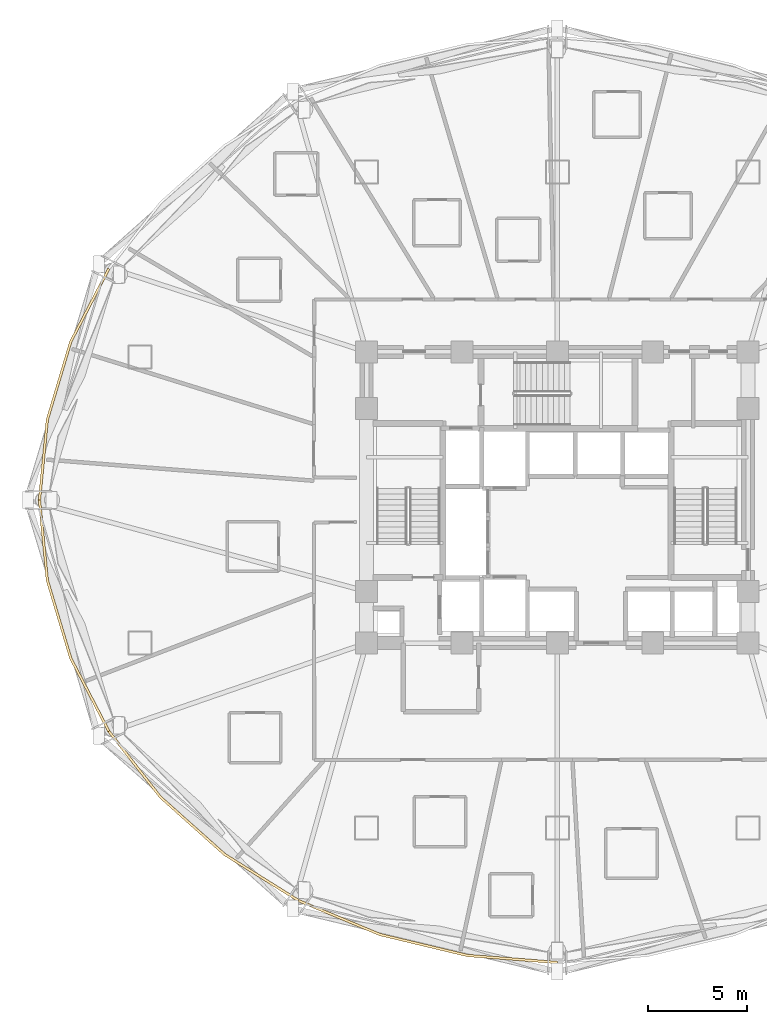
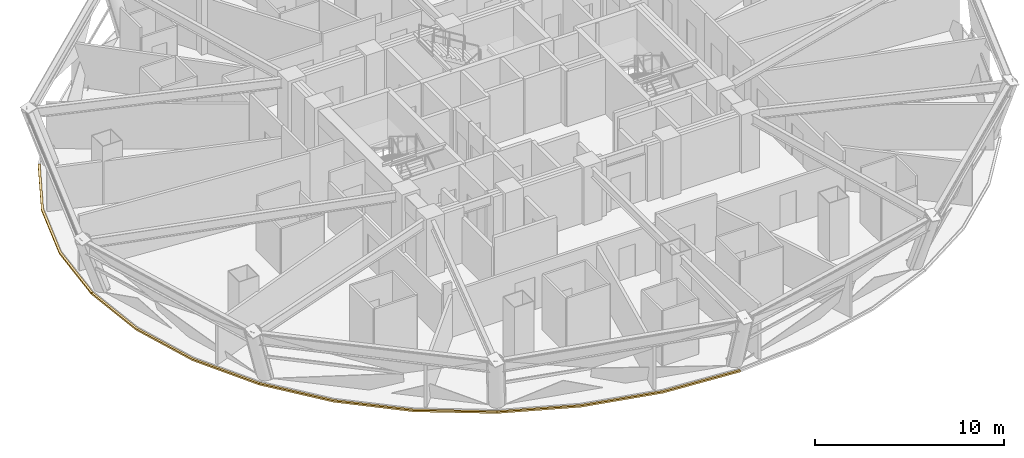
# One storey, part 9 of 12: 4 coverings.
"""IFC4 building model written with IfcOpenShell, lengths in metres."""

import ifcopenshell
import ifcopenshell.guid

model = None  # the IFC model being written
_history = None  # IfcOwnerHistory: only IFC2X3 demands one
_inside = {}  # id of a spatial element -> (the spatial element, [elements in it])
_under = {}  # id of a project, library or spatial element -> (it, [spatial elements below it])
_declared = {}  # id of a project -> (the project, [libraries it declares])
_typed = {}  # id of a type object -> (the type object, [elements of that type])
_made_of = {}  # id of a material, layer set ... -> (it, [elements and type objects made of it])


def new_model(schema):
    """Start an empty IFC model of exactly this schema.

    Asked for "IFC4X3", IfcOpenShell would pick the latest addendum, in which some entities
    have other attributes; the version numbers below select the first issue.
    IFC2X3 requires an IfcOwnerHistory on every rooted entity: one is made here for all.
    """
    global model, _history
    if schema == "IFC4X3":
        model = ifcopenshell.file(schema_version=(4, 3, 0, 0))
    else:
        model = ifcopenshell.file(schema=schema)
    _inside.clear()
    _under.clear()
    _declared.clear()
    _typed.clear()
    _made_of.clear()
    _history = None
    if model.schema == "IFC2X3":
        org = make("IfcOrganization", Name="unknown")
        user = make(
            "IfcPersonAndOrganization",
            ThePerson=make("IfcPerson", FamilyName="unknown"),
            TheOrganization=org,
        )
        app = make(
            "IfcApplication",
            ApplicationDeveloper=org,
            Version="unknown",
            ApplicationFullName="unknown",
            ApplicationIdentifier="unknown",
        )
        _history = make(
            "IfcOwnerHistory",
            OwningUser=user,
            OwningApplication=app,
            ChangeAction="ADDED",
            CreationDate=0,
        )
    return model


def make(cls, **values):
    """One entity of the class cls with the attributes given. An attribute that is None is left unset."""
    return model.create_entity(
        cls, **{name: value for name, value in values.items() if value is not None}
    )


def rooted(cls, **values):
    """An entity with a GlobalId (a new one), such as an element, a storey or a relation."""
    return make(cls, GlobalId=ifcopenshell.guid.new(), OwnerHistory=_history, **values)


def si_unit(unit_type, name, prefix=None):
    """IfcSIUnit, for example si_unit("LENGTHUNIT", "METRE", prefix="MILLI")."""
    return make("IfcSIUnit", UnitType=unit_type, Prefix=prefix, Name=name)


def assignment(units):
    """IfcUnitAssignment: the units of a project."""
    return None if units is None else make("IfcUnitAssignment", Units=units)


def point(xyz):
    """IfcCartesianPoint."""
    return None if xyz is None else make("IfcCartesianPoint", Coordinates=xyz)


def direction(xyz):
    """IfcDirection."""
    return None if xyz is None else make("IfcDirection", DirectionRatios=xyz)


def frame(location, z_axis=None, x_axis=None):
    """IfcAxis2Placement3D, a coordinate frame: its origin and axes. An axis left out is left unset."""
    return make(
        "IfcAxis2Placement3D",
        Location=point(location),
        Axis=direction(z_axis),
        RefDirection=direction(x_axis),
    )


def origin():
    """The frame at (0, 0, 0) with its axes left unset."""
    return frame((0.0, 0.0, 0.0))


def place(relative_to, where):
    """IfcLocalPlacement: puts the frame where relative to a parent placement (None: the world)."""
    return make(
        "IfcLocalPlacement", PlacementRelTo=relative_to, RelativePlacement=where
    )


def context(
    kind, dimensions, precision=None, world=None, true_north=None, identifier=None
):
    """IfcGeometricRepresentationContext, for example the 3D "Model" context."""
    return make(
        "IfcGeometricRepresentationContext",
        ContextIdentifier=identifier,
        ContextType=kind,
        CoordinateSpaceDimension=dimensions,
        Precision=precision,
        WorldCoordinateSystem=world,
        TrueNorth=true_north,
    )


def subcontext(parent, identifier, kind, view, scale=None):
    """IfcGeometricRepresentationSubContext, for example "Body" below "Model"."""
    return make(
        "IfcGeometricRepresentationSubContext",
        ContextIdentifier=identifier,
        ContextType=kind,
        ParentContext=parent,
        TargetScale=scale,
        TargetView=view,
    )


def project(units=None, contexts=None):
    """IfcProject with its units and contexts."""
    return rooted(
        "IfcProject",
        Name="project",
        RepresentationContexts=contexts,
        UnitsInContext=assignment(units),
    )


def spatial(cls, under=None, at=None, **own):
    """A site, building, storey or space (cls), placed at a placement, below another one or the project."""
    s = rooted(cls, ObjectPlacement=at, **own)
    if under is not None:
        _under.setdefault(under.id(), (under, []))[1].append(s)
    return s


def polyline(points):
    """IfcPolyline through the points."""
    return make("IfcPolyline", Points=[point(p) for p in points])


def outline(outer, holes=None, kind="AREA"):
    """IfcArbitraryClosedProfileDef: a profile drawn as a closed curve; with holes, ...WithVoids."""
    if holes is None:
        return make("IfcArbitraryClosedProfileDef", ProfileType=kind, OuterCurve=outer)
    return make(
        "IfcArbitraryProfileDefWithVoids",
        ProfileType=kind,
        OuterCurve=outer,
        InnerCurves=holes,
    )


def extrude(swept, where, along, depth):
    """IfcExtrudedAreaSolid: the profile swept, set in the frame where, extruded along a direction by depth."""
    return make(
        "IfcExtrudedAreaSolid",
        SweptArea=swept,
        Position=where,
        ExtrudedDirection=direction(along),
        Depth=depth,
    )


def shape(context_of_items, identifier, shape_type, items):
    """IfcShapeRepresentation: the items that make up one representation, for example the "Body"."""
    return make(
        "IfcShapeRepresentation",
        ContextOfItems=context_of_items,
        RepresentationIdentifier=identifier,
        RepresentationType=shape_type,
        Items=items,
    )


def material(Name=None, Category=None):
    """IfcMaterial."""
    return make("IfcMaterial", Name=Name, Category=Category)


def layer(
    of_material, thickness, ventilated=None, Name=None, Category=None, Priority=None
):
    """IfcMaterialLayer: one layer of a wall or slab, of a material (None: an air gap)."""
    return make(
        "IfcMaterialLayer",
        Material=of_material,
        LayerThickness=thickness,
        IsVentilated=ventilated,
        Name=Name,
        Category=Category,
        Priority=Priority,
    )


def layer_set(layers, Name=None):
    """IfcMaterialLayerSet."""
    return make("IfcMaterialLayerSet", MaterialLayers=layers, LayerSetName=Name)


def made_of(thing, what):
    """Note that an element or type object is made of a material, layer set ...; save() writes the relation."""
    if what is not None:
        _made_of.setdefault(what.id(), (what, []))[1].append(thing)
    return thing


def type_object(cls, material=None, **own):
    """A type object (cls), such as IfcWallType, which elements share."""
    return made_of(rooted(cls, **own), material)


def element(
    cls,
    number,
    at=None,
    inside=None,
    cuts=None,
    type_object=None,
    material=None,
    context=None,
    identifier="Body",
    shape_type=None,
    held_by="IfcProductDefinitionShape",
    body=None,
    shapes=None,
    **own,
):
    """One element of the class cls, such as IfcWall. Its Tag is "e" and its number.

    at: its placement. inside: the storey or other place that contains it. cuts: it is an
    opening in that element (IfcRelVoidsElement). A single representation is given by context,
    identifier, shape_type and body (its items); several are given by shapes. held_by: the class
    of the entity that holds the representations. save() writes the other relations.
    """
    e = rooted(cls, Tag="e%d" % number, ObjectPlacement=at, **own)
    if body is not None:
        shapes = [shape(context, identifier, shape_type, body)]
    if shapes is not None:
        e.Representation = make(held_by, Representations=shapes)
    if inside is not None:
        _inside.setdefault(inside.id(), (inside, []))[1].append(e)
    if cuts is not None:
        rooted(
            "IfcRelVoidsElement", RelatingBuildingElement=cuts, RelatedOpeningElement=e
        )
    if type_object is not None:
        _typed.setdefault(type_object.id(), (type_object, []))[1].append(e)
    return made_of(e, material)


def aggregate(whole, parts):
    """IfcRelAggregates: a whole, such as a stair, and the parts it consists of."""
    return rooted("IfcRelAggregates", RelatingObject=whole, RelatedObjects=parts)


def save(model, path):
    """Write the relations noted so far, then the file.

    IfcRelAggregates (storeys below a building ...), IfcRelContainedInSpatialStructure (elements
    in a storey), IfcRelDefinesByType, IfcRelAssociatesMaterial and IfcRelDeclares: one each for
    every whole, place, type object, material and project.
    """
    for whole, parts in _under.values():
        aggregate(whole, parts)
    for where, things in _inside.values():
        rooted(
            "IfcRelContainedInSpatialStructure",
            RelatedElements=things,
            RelatingStructure=where,
        )
    for kind, things in _typed.values():
        rooted("IfcRelDefinesByType", RelatedObjects=things, RelatingType=kind)
    for what, things in _made_of.values():
        rooted("IfcRelAssociatesMaterial", RelatedObjects=things, RelatingMaterial=what)
    for by, libraries in _declared.values():
        rooted("IfcRelDeclares", RelatingContext=by, RelatedDefinitions=libraries)
    model.write(path)


model = new_model("IFC4")

# Units and contexts
model_context = context("Model", 3, precision=1e-05, world=origin(), true_north=direction((0.0, 1.0)))
body_context = subcontext(model_context, "Body", "Model", "MODEL_VIEW")
ifc_project = project(units=[si_unit("LENGTHUNIT", "METRE"), si_unit("AREAUNIT", "SQUARE_METRE"), si_unit("VOLUMEUNIT", "CUBIC_METRE"), si_unit("PLANEANGLEUNIT", "RADIAN"), si_unit("MASSUNIT", "GRAM", prefix="KILO")], contexts=[model_context])

# Site, building, storey
site_placement = place(None, origin())
site = spatial("IfcSite", under=ifc_project, at=site_placement, CompositionType="ELEMENT")
building_placement = place(site_placement, origin())
building = spatial("IfcBuilding", under=site, at=building_placement, Name="Vantalir Tower", CompositionType="ELEMENT")
storey_placement = place(building_placement, frame((0.0, 0.0, 38.25)))
storey = spatial("IfcBuildingStorey", under=building, at=storey_placement, Name="L08", CompositionType="ELEMENT", Elevation=38.25)

# Coverings
ifc_material = material(Name="Anodised champagne aluminium sill fascia", Category="aluminium")
ifc_layer = layer(ifc_material, 0.125)
ifc_layer_set = layer_set([ifc_layer], Name="Anodised champagne aluminium sill fascia")
covering_type = type_object("IfcCoveringType", Name="COV-SLAB-FASCIA-125", PredefinedType="CLADDING", material=ifc_layer_set)
covering_1_placement = place(storey_placement, frame((0.0, 0.0, -0.179931640625)))
element("IfcCovering", 1, at=covering_1_placement, inside=storey, type_object=covering_type, Name="L08 Perimeter Slab-Edge Sill Fascia 06", PredefinedType="CLADDING", context=body_context, shape_type="SweptSolid", body=[
    extrude(outline(polyline([(8.875, 36.6689453125), (6.950927734375, 32.98193359375), (5.77197265625, 29.052978515625), (5.375, 25.0), (5.5, 25.0), (5.89501953125, 29.031005859375), (7.068115234375, 32.93994140625), (8.98291015625, 36.60693359375), (8.875, 36.6689453125)])), origin(), (0.0, 0.0, 1.0), 0.10498046875),
])
covering_2_placement = place(storey_placement, frame((0.0, 0.0, -0.179931640625)))
element("IfcCovering", 2, at=covering_2_placement, inside=storey, type_object=covering_type, Name="L08 Perimeter Slab-Edge Sill Fascia 07", PredefinedType="CLADDING", context=body_context, shape_type="SweptSolid", body=[
    extrude(outline(polyline([(5.375, 25.0), (5.77197265625, 20.947021484375), (6.950927734375, 17.01806640625), (8.875, 13.330078125), (8.98291015625, 13.39306640625), (7.068115234375, 17.06005859375), (5.89501953125, 20.968994140625), (5.5, 25.0), (5.375, 25.0)])), origin(), (0.0, 0.0, 1.0), 0.10498046875),
])
covering_3_placement = place(storey_placement, frame((0.0, 0.0, -0.179931640625)))
element("IfcCovering", 3, at=covering_3_placement, inside=storey, type_object=covering_type, Name="L08 Perimeter Slab-Edge Sill Fascia 08", PredefinedType="CLADDING", context=body_context, shape_type="SweptSolid", body=[
    extrude(outline(polyline([(8.875, 13.330078125), (11.487060546875, 9.998046875), (14.70703125, 7.12109375), (18.43701171875, 4.7880859375), (18.5, 4.89599609375), (14.7880859375, 7.217041015625), (11.5830078125, 10.077880859375), (8.98291015625, 13.39306640625), (8.875, 13.330078125)])), origin(), (0.0, 0.0, 1.0), 0.10498046875),
])
covering_4_placement = place(storey_placement, frame((0.0, 0.0, -0.179931640625)))
element("IfcCovering", 4, at=covering_4_placement, inside=storey, type_object=covering_type, Name="L08 Perimeter Slab-Edge Sill Fascia 09", PredefinedType="CLADDING", context=body_context, shape_type="SweptSolid", body=[
    extrude(outline(polyline([(18.43701171875, 4.7880859375), (22.56494140625, 3.069091796875), (26.962890625, 2.01611328125), (31.5, 1.660888671875), (31.5, 1.785888671875), (26.985107421875, 2.138916015625), (22.60693359375, 3.18603515625), (18.5, 4.89599609375), (18.43701171875, 4.7880859375)])), origin(), (0.0, 0.0, 1.0), 0.10498046875),
])

save(model, "model.ifc")
